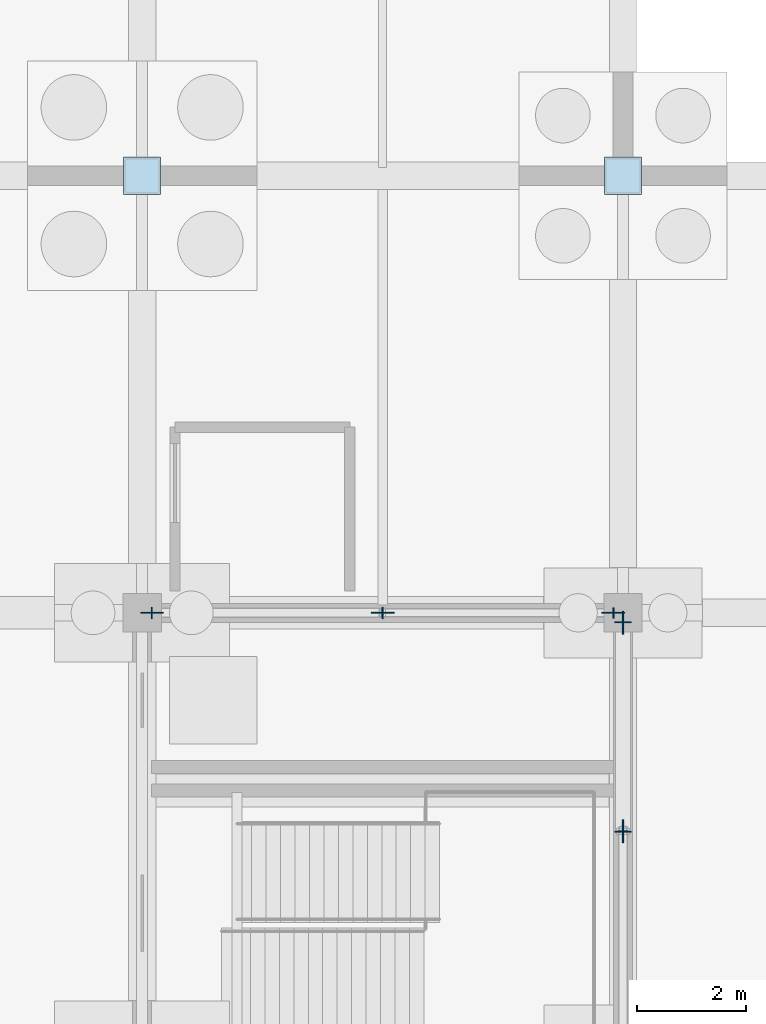
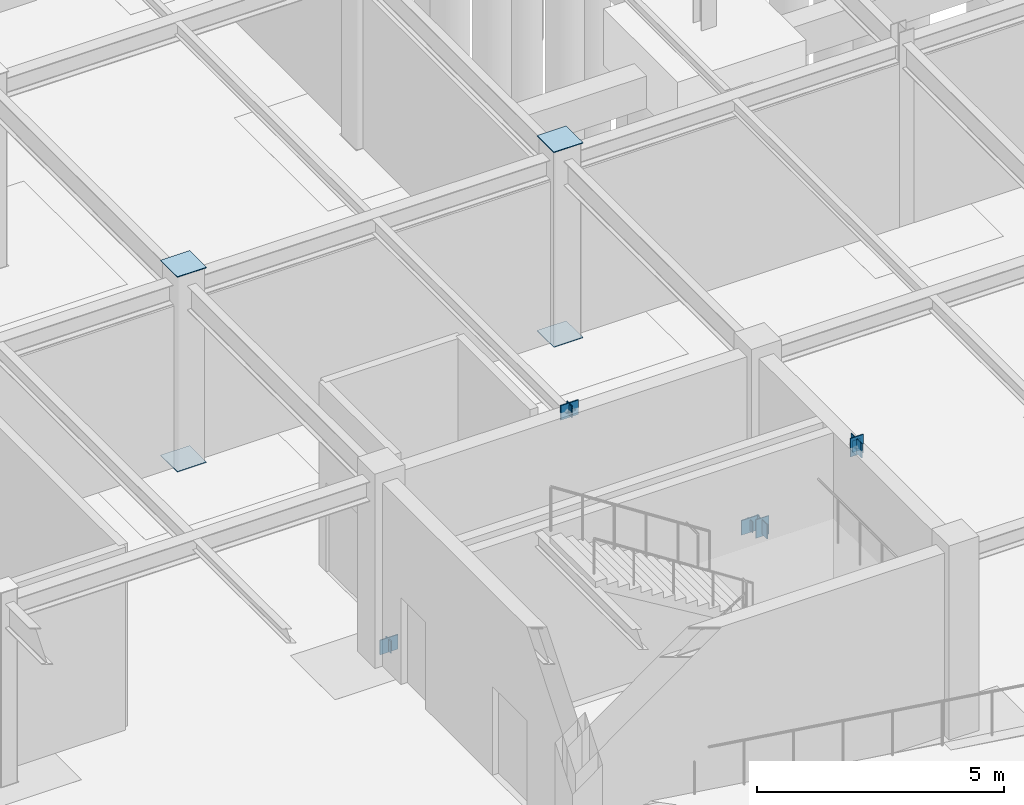
# One storey, part 44 of 72: 16 plates.
"""IFC4 building model written with IfcOpenShell, lengths in metres."""

import ifcopenshell
import ifcopenshell.guid

model = None  # the IFC model being written
_history = None  # IfcOwnerHistory: only IFC2X3 demands one
_inside = {}  # id of a spatial element -> (the spatial element, [elements in it])
_under = {}  # id of a project, library or spatial element -> (it, [spatial elements below it])
_declared = {}  # id of a project -> (the project, [libraries it declares])
_typed = {}  # id of a type object -> (the type object, [elements of that type])
_made_of = {}  # id of a material, layer set ... -> (it, [elements and type objects made of it])


def new_model(schema):
    """Start an empty IFC model of exactly this schema.

    Asked for "IFC4X3", IfcOpenShell would pick the latest addendum, in which some entities
    have other attributes; the version numbers below select the first issue.
    IFC2X3 requires an IfcOwnerHistory on every rooted entity: one is made here for all.
    """
    global model, _history
    if schema == "IFC4X3":
        model = ifcopenshell.file(schema_version=(4, 3, 0, 0))
    else:
        model = ifcopenshell.file(schema=schema)
    _inside.clear()
    _under.clear()
    _declared.clear()
    _typed.clear()
    _made_of.clear()
    _history = None
    if model.schema == "IFC2X3":
        org = make("IfcOrganization", Name="unknown")
        user = make(
            "IfcPersonAndOrganization",
            ThePerson=make("IfcPerson", FamilyName="unknown"),
            TheOrganization=org,
        )
        app = make(
            "IfcApplication",
            ApplicationDeveloper=org,
            Version="unknown",
            ApplicationFullName="unknown",
            ApplicationIdentifier="unknown",
        )
        _history = make(
            "IfcOwnerHistory",
            OwningUser=user,
            OwningApplication=app,
            ChangeAction="ADDED",
            CreationDate=0,
        )
    return model


def make(cls, **values):
    """One entity of the class cls with the attributes given. An attribute that is None is left unset."""
    return model.create_entity(
        cls, **{name: value for name, value in values.items() if value is not None}
    )


def rooted(cls, **values):
    """An entity with a GlobalId (a new one), such as an element, a storey or a relation."""
    return make(cls, GlobalId=ifcopenshell.guid.new(), OwnerHistory=_history, **values)


def si_unit(unit_type, name, prefix=None):
    """IfcSIUnit, for example si_unit("LENGTHUNIT", "METRE", prefix="MILLI")."""
    return make("IfcSIUnit", UnitType=unit_type, Prefix=prefix, Name=name)


def assignment(units):
    """IfcUnitAssignment: the units of a project."""
    return None if units is None else make("IfcUnitAssignment", Units=units)


def point(xyz):
    """IfcCartesianPoint."""
    return None if xyz is None else make("IfcCartesianPoint", Coordinates=xyz)


def direction(xyz):
    """IfcDirection."""
    return None if xyz is None else make("IfcDirection", DirectionRatios=xyz)


def frame(location, z_axis=None, x_axis=None):
    """IfcAxis2Placement3D, a coordinate frame: its origin and axes. An axis left out is left unset."""
    return make(
        "IfcAxis2Placement3D",
        Location=point(location),
        Axis=direction(z_axis),
        RefDirection=direction(x_axis),
    )


def frame_2d(location, x_axis=None):
    """IfcAxis2Placement2D, a coordinate frame in the plane: its origin and x axis."""
    return make(
        "IfcAxis2Placement2D", Location=point(location), RefDirection=direction(x_axis)
    )


def origin():
    """The frame at (0, 0, 0) with its axes left unset."""
    return frame((0.0, 0.0, 0.0))


def origin_2d():
    """The frame at (0, 0) in the plane with its x axis left unset."""
    return frame_2d((0.0, 0.0))


def place(relative_to, where):
    """IfcLocalPlacement: puts the frame where relative to a parent placement (None: the world)."""
    return make(
        "IfcLocalPlacement", PlacementRelTo=relative_to, RelativePlacement=where
    )


def context(
    kind, dimensions, precision=None, world=None, true_north=None, identifier=None
):
    """IfcGeometricRepresentationContext, for example the 3D "Model" context."""
    return make(
        "IfcGeometricRepresentationContext",
        ContextIdentifier=identifier,
        ContextType=kind,
        CoordinateSpaceDimension=dimensions,
        Precision=precision,
        WorldCoordinateSystem=world,
        TrueNorth=true_north,
    )


def subcontext(parent, identifier, kind, view, scale=None):
    """IfcGeometricRepresentationSubContext, for example "Body" below "Model"."""
    return make(
        "IfcGeometricRepresentationSubContext",
        ContextIdentifier=identifier,
        ContextType=kind,
        ParentContext=parent,
        TargetScale=scale,
        TargetView=view,
    )


def project(units=None, contexts=None):
    """IfcProject with its units and contexts."""
    return rooted(
        "IfcProject",
        Name="project",
        RepresentationContexts=contexts,
        UnitsInContext=assignment(units),
    )


def spatial(cls, under=None, at=None, **own):
    """A site, building, storey or space (cls), placed at a placement, below another one or the project."""
    s = rooted(cls, ObjectPlacement=at, **own)
    if under is not None:
        _under.setdefault(under.id(), (under, []))[1].append(s)
    return s


def profile(cls, at=None, kind="AREA", **sizes):
    """A parametric profile (cls). Its sizes go by their IFC names, for example OverallWidth=200.0."""
    return make(cls, ProfileType=kind, Position=at, **sizes)


def rectangle(**sizes):
    """IfcRectangleProfileDef."""
    return profile("IfcRectangleProfileDef", **sizes)


def extrude(swept, where, along, depth):
    """IfcExtrudedAreaSolid: the profile swept, set in the frame where, extruded along a direction by depth."""
    return make(
        "IfcExtrudedAreaSolid",
        SweptArea=swept,
        Position=where,
        ExtrudedDirection=direction(along),
        Depth=depth,
    )


def shape(context_of_items, identifier, shape_type, items):
    """IfcShapeRepresentation: the items that make up one representation, for example the "Body"."""
    return make(
        "IfcShapeRepresentation",
        ContextOfItems=context_of_items,
        RepresentationIdentifier=identifier,
        RepresentationType=shape_type,
        Items=items,
    )


def material(Name=None, Category=None):
    """IfcMaterial."""
    return make("IfcMaterial", Name=Name, Category=Category)


def layer(
    of_material, thickness, ventilated=None, Name=None, Category=None, Priority=None
):
    """IfcMaterialLayer: one layer of a wall or slab, of a material (None: an air gap)."""
    return make(
        "IfcMaterialLayer",
        Material=of_material,
        LayerThickness=thickness,
        IsVentilated=ventilated,
        Name=Name,
        Category=Category,
        Priority=Priority,
    )


def layer_set(layers, Name=None):
    """IfcMaterialLayerSet."""
    return make("IfcMaterialLayerSet", MaterialLayers=layers, LayerSetName=Name)


def made_of(thing, what):
    """Note that an element or type object is made of a material, layer set ...; save() writes the relation."""
    if what is not None:
        _made_of.setdefault(what.id(), (what, []))[1].append(thing)
    return thing


def type_object(cls, material=None, **own):
    """A type object (cls), such as IfcWallType, which elements share."""
    return made_of(rooted(cls, **own), material)


def element(
    cls,
    number,
    at=None,
    inside=None,
    cuts=None,
    type_object=None,
    material=None,
    context=None,
    identifier="Body",
    shape_type=None,
    held_by="IfcProductDefinitionShape",
    body=None,
    shapes=None,
    **own,
):
    """One element of the class cls, such as IfcWall. Its Tag is "e" and its number.

    at: its placement. inside: the storey or other place that contains it. cuts: it is an
    opening in that element (IfcRelVoidsElement). A single representation is given by context,
    identifier, shape_type and body (its items); several are given by shapes. held_by: the class
    of the entity that holds the representations. save() writes the other relations.
    """
    e = rooted(cls, Tag="e%d" % number, ObjectPlacement=at, **own)
    if body is not None:
        shapes = [shape(context, identifier, shape_type, body)]
    if shapes is not None:
        e.Representation = make(held_by, Representations=shapes)
    if inside is not None:
        _inside.setdefault(inside.id(), (inside, []))[1].append(e)
    if cuts is not None:
        rooted(
            "IfcRelVoidsElement", RelatingBuildingElement=cuts, RelatedOpeningElement=e
        )
    if type_object is not None:
        _typed.setdefault(type_object.id(), (type_object, []))[1].append(e)
    return made_of(e, material)


def aggregate(whole, parts):
    """IfcRelAggregates: a whole, such as a stair, and the parts it consists of."""
    return rooted("IfcRelAggregates", RelatingObject=whole, RelatedObjects=parts)


def save(model, path):
    """Write the relations noted so far, then the file.

    IfcRelAggregates (storeys below a building ...), IfcRelContainedInSpatialStructure (elements
    in a storey), IfcRelDefinesByType, IfcRelAssociatesMaterial and IfcRelDeclares: one each for
    every whole, place, type object, material and project.
    """
    for whole, parts in _under.values():
        aggregate(whole, parts)
    for where, things in _inside.values():
        rooted(
            "IfcRelContainedInSpatialStructure",
            RelatedElements=things,
            RelatingStructure=where,
        )
    for kind, things in _typed.values():
        rooted("IfcRelDefinesByType", RelatedObjects=things, RelatingType=kind)
    for what, things in _made_of.values():
        rooted("IfcRelAssociatesMaterial", RelatedObjects=things, RelatingMaterial=what)
    for by, libraries in _declared.values():
        rooted("IfcRelDeclares", RelatingContext=by, RelatedDefinitions=libraries)
    model.write(path)


model = new_model("IFC4")

# Units and contexts
model_context = context("Model", 3, precision=1e-05, world=origin(), true_north=direction((0.0, 1.0)))
body_context = subcontext(model_context, "Body", "Model", "MODEL_VIEW")
ifc_project = project(units=[si_unit("LENGTHUNIT", "METRE"), si_unit("AREAUNIT", "SQUARE_METRE"), si_unit("VOLUMEUNIT", "CUBIC_METRE"), si_unit("PLANEANGLEUNIT", "RADIAN"), si_unit("MASSUNIT", "GRAM", prefix="KILO")], contexts=[model_context])

# Site, building, storey
site_placement = place(None, origin())
site = spatial("IfcSite", under=ifc_project, at=site_placement, CompositionType="ELEMENT")
building_placement = place(site_placement, origin())
building = spatial("IfcBuilding", under=site, at=building_placement, Name="Zhaolan Boulevard Law Courts", CompositionType="ELEMENT")
storey_placement = place(building_placement, frame((0.0, 0.0, -4.800048828125)))
storey = spatial("IfcBuildingStorey", under=building, at=storey_placement, Name="B1", CompositionType="ELEMENT", Elevation=-4.800048828125)

# Plates
ifc_material_1 = material(Name="Structural steel Q355B", Category="steel")
ifc_layer_1 = layer(ifc_material_1, 0.02392578125)
ifc_layer_set_1 = layer_set([ifc_layer_1])
plate_type_1 = type_object("IfcPlateType", Name="BRACE GUSSET PLATE 24", PredefinedType="SHEET", material=ifc_layer_set_1)
for number, where, z_axis, x_axis, name in (
    (1, (35.3798828125, 22.0, 0.02001953125), (0.0, 0.0, 1.0), (1.0, 0.0, 0.0), "Brace Gusset Connection Plate GP-P1-B1-NA1"),
    (2, (43.820068359375, 22.0, 0.02001953125), (0.0, 0.0, 1.0), (1.0, 0.0, 0.0), "Brace Gusset Connection Plate GP-P1-B1-NA2"),
    (3, (39.60009765625, 22.0, 4.33984375), (0.0, 0.0, 1.0), (1.0, 0.0, 0.0), "Brace Gusset Connection Plate GP-P1-B1-NAPX"),
    (4, (44.0, 21.820068359375, 0.02001953125), (0.0, 0.0, 1.0), (0.0, 1.0, 0.0), "Brace Gusset Connection Plate GP-P1-B1-EA2"),
    (5, (44.0, 18.0, 4.33984375), (0.0, 0.0, 1.0), (0.0, 1.0, 0.0), "Brace Gusset Connection Plate GP-P1-B1-EAPX"),
):
    element("IfcPlate", number, at=place(storey_placement, frame(where, z_axis=z_axis, x_axis=x_axis)), inside=storey, type_object=plate_type_1, Name=name, PredefinedType="SHEET", context=body_context, shape_type="SweptSolid", body=[
        extrude(rectangle(XDim=0.419921875, YDim=0.02392578125, at=origin_2d()), origin(), (0.0, 0.0, 1.0), 0.360107421875),
    ])
ifc_material_2 = material(Name="Structural steel Q355B", Category="steel")
ifc_layer_2 = layer(ifc_material_2, 0.02001953125)
ifc_layer_set_2 = layer_set([ifc_layer_2])
plate_type_2 = type_object("IfcPlateType", Name="END CAP PLATE 20", PredefinedType="SHEET", material=ifc_layer_set_2)
for number, where, z_axis, x_axis, name in (
    (6, (35.199951171875, 30.0, -0.01806640625), (0.0, 0.0, 1.0), (1.0, 0.0, 0.0), "Hollow Section End-Cap Plate ECP-0357"),
    (7, (35.199951171875, 30.0, 4.798095703125), (0.0, 0.0, 1.0), (1.0, 0.0, 0.0), "Hollow Section End-Cap Plate ECP-0358"),
    (8, (44.0, 30.0, -0.01806640625), (0.0, 0.0, 1.0), (1.0, 0.0, 0.0), "Hollow Section End-Cap Plate ECP-0487"),
    (9, (44.0, 30.0, 4.798095703125), (0.0, 0.0, 1.0), (1.0, 0.0, 0.0), "Hollow Section End-Cap Plate ECP-0488"),
):
    element("IfcPlate", number, at=place(storey_placement, frame(where, z_axis=z_axis, x_axis=x_axis)), inside=storey, type_object=plate_type_2, Name=name, PredefinedType="SHEET", context=body_context, shape_type="SweptSolid", body=[
        extrude(rectangle(XDim=0.679931640625, YDim=0.679931640625, at=origin_2d()), origin(), (0.0, 0.0, 1.0), 0.02001953125),
    ])
for number, where, z_axis, x_axis, name in (
    (10, (35.37451171875, 22.0, 0.0439453125), (0.0, 0.0, 1.0), (1.0, 0.0, 0.0), "Hollow Section End-Cap Plate ECP-1223"),
    (11, (39.605712890625, 22.0, 4.375), (0.0, 0.0, 1.0), (1.0, 0.0, 0.0), "Hollow Section End-Cap Plate ECP-1224"),
):
    element("IfcPlate", number, at=place(storey_placement, frame(where, z_axis=z_axis, x_axis=x_axis)), inside=storey, type_object=plate_type_2, Name=name, PredefinedType="SHEET", context=body_context, shape_type="SweptSolid", body=[
        extrude(rectangle(XDim=0.02001953125, YDim=0.2099609375, at=origin_2d()), origin(), (0.0, 0.0, 1.0), 0.301025390625),
    ])
for number, where, z_axis, x_axis, name in (
    (12, (43.82568359375, 22.0, 0.058349609375), (0.0, 0.0, 1.0), (-1.0, 0.0, 0.0), "Hollow Section End-Cap Plate ECP-1225"),
    (13, (39.594482421875, 22.0, 4.3896484375), (0.0, 0.0, 1.0), (-1.0, 0.0, 0.0), "Hollow Section End-Cap Plate ECP-1226"),
):
    element("IfcPlate", number, at=place(storey_placement, frame(where, z_axis=z_axis, x_axis=x_axis)), inside=storey, type_object=plate_type_2, Name=name, PredefinedType="SHEET", context=body_context, shape_type="SweptSolid", body=[
        extrude(rectangle(XDim=0.02001953125, YDim=0.18994140625, at=origin_2d()), origin(), (0.0, 0.0, 1.0), 0.27197265625),
    ])
plate_placement = place(storey_placement, frame((44.0, 18.00537109375, 4.382568359375), z_axis=(0.0, 0.0, 1.0), x_axis=(0.0, 1.0, 0.0)))
element("IfcPlate", 14, at=plate_placement, inside=storey, type_object=plate_type_2, Name="Hollow Section End-Cap Plate ECP-1228", PredefinedType="SHEET", context=body_context, shape_type="SweptSolid", body=[
    extrude(rectangle(XDim=0.02001953125, YDim=0.18994140625, at=origin_2d()), origin(), (0.0, 0.0, 1.0), 0.287109375),
])
for number, where, z_axis, x_axis, name in (
    (15, (44.0, 21.8251953125, -0.034423828125), (0.0, 0.0, 1.0), (0.0, -1.0, 0.0), "Hollow Section End-Cap Plate ECP-1229"),
    (16, (44.0, 17.99462890625, 4.297607421875), (0.0, 0.0, 1.0), (0.0, -1.0, 0.0), "Hollow Section End-Cap Plate ECP-1230"),
):
    element("IfcPlate", number, at=place(storey_placement, frame(where, z_axis=z_axis, x_axis=x_axis)), inside=storey, type_object=plate_type_2, Name=name, PredefinedType="SHEET", context=body_context, shape_type="SweptSolid", body=[
        extrude(rectangle(XDim=0.02001953125, YDim=0.302978515625, at=origin_2d()), origin(), (0.0, 0.0, 1.0), 0.45703125),
    ])

save(model, "model.ifc")
